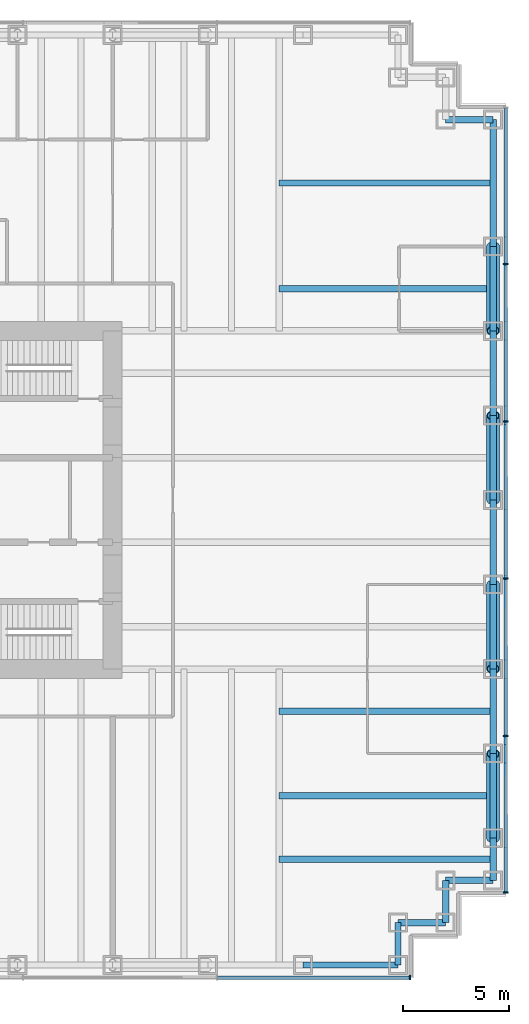
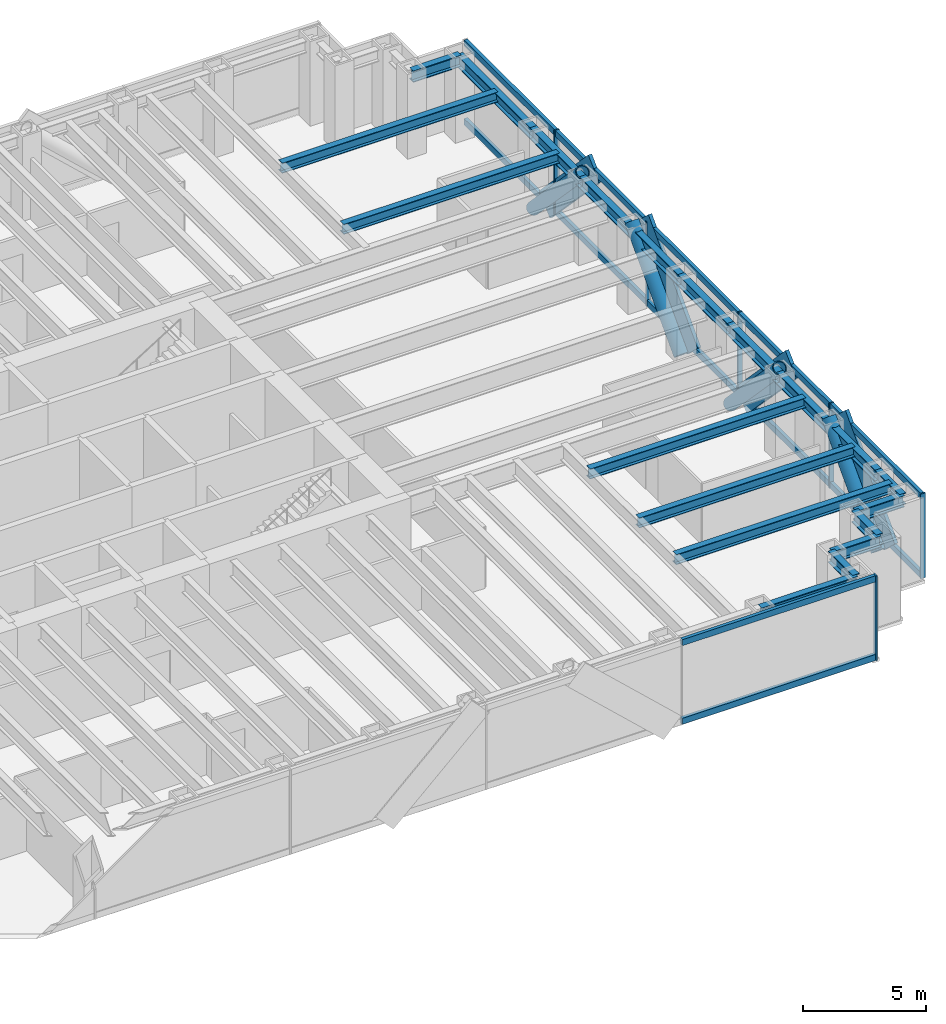
# One storey, part 8 of 15: 26 members, 20 beams, 2 elements without a shape of their own.
"""IFC4 building model written with IfcOpenShell, lengths in metres."""

from ifc_helpers import new_model, si_unit, direction, frame, origin, origin_2d, place, context, subcontext, project, spatial, rectangle, hollow_circle, i_section, extrude, material, material_profile, profile_set, type_object, element, aggregate, save


model = new_model("IFC4")

# Units and contexts
model_context = context("Model", 3, precision=1e-05, world=origin(), true_north=direction((0.0, 1.0)))
body_context = subcontext(model_context, "Body", "Model", "MODEL_VIEW")
ifc_project = project(units=[si_unit("LENGTHUNIT", "METRE"), si_unit("AREAUNIT", "SQUARE_METRE"), si_unit("VOLUMEUNIT", "CUBIC_METRE"), si_unit("PLANEANGLEUNIT", "RADIAN"), si_unit("MASSUNIT", "GRAM", prefix="KILO")], contexts=[model_context])

# Site, building, storey
site_placement = place(None, origin())
site = spatial("IfcSite", under=ifc_project, at=site_placement, CompositionType="ELEMENT")
building_placement = place(site_placement, origin())
building = spatial("IfcBuilding", under=site, at=building_placement, Name="Rheinbord Bourse Tower", CompositionType="ELEMENT")
storey_placement = place(building_placement, frame((0.0, 0.0, 163.5)))
storey = spatial("IfcBuildingStorey", under=building, at=storey_placement, Name="L36", CompositionType="ELEMENT", Elevation=163.5)

# Curtain wall, members
ifc_material_1 = material(Name="Dark glass and black aluminium", Category="aluminium")
curtain_wall_type = type_object("IfcCurtainWallType", Name="CW2 DARK GLASS CURTAIN WALL", PredefinedType="USERDEFINED", material=ifc_material_1)
curtain_wall_1_placement = place(storey_placement, origin())
curtain_wall_1 = element("IfcCurtainWall", 1, at=curtain_wall_1_placement, inside=storey, type_object=curtain_wall_type, Name="Curtain wall CW2 E L36", ObjectType="UNITISED CURTAIN WALL", PredefinedType="USERDEFINED")
ifc_material_2 = material(Name="Black anodised aluminium", Category="aluminium")
ifc_material_profile_1 = material_profile(ifc_material_2, rectangle(XDim=0.159912109375, YDim=1.2099609375, at=origin_2d()), Name="CW2 DIAGONAL MULLION 1210x160")
ifc_profile_set_1 = profile_set([ifc_material_profile_1], Name="Black anodised aluminium")
member_type_1 = type_object("IfcMemberType", Name="CW2 BLACK DIAGONAL MULLION", PredefinedType="USERDEFINED", material=ifc_profile_set_1)
member_1_placement = place(storey_placement, frame((72.60009765625, 8.0, 0.0), z_axis=(0.0, 0.689659376744, 0.724133926887), x_axis=(-1.0, 0.0, 0.0)))
member_1 = element("IfcMember", 2, at=member_1_placement, type_object=member_type_1, Name="CW2 diagonal mullion a", ObjectType="DIAGONAL MULLION", PredefinedType="USERDEFINED", context=body_context, shape_type="SweptSolid", body=[
    extrude(rectangle(XDim=0.159912109375, YDim=1.2099609375, at=origin_2d()), origin(), (0.0, 0.0, 1.0), 5.800048828125),
])
member_2_placement = place(storey_placement, frame((72.60009765625, 36.0, 0.0), z_axis=(0.0, -0.689659376744, 0.724133926887), x_axis=(1.0, 0.0, 0.0)))
member_2 = element("IfcMember", 3, at=member_2_placement, type_object=member_type_1, Name="CW2 diagonal mullion b", ObjectType="DIAGONAL MULLION", PredefinedType="USERDEFINED", context=body_context, shape_type="SweptSolid", body=[
    extrude(rectangle(XDim=0.159912109375, YDim=1.2099609375, at=origin_2d()), origin(), (0.0, 0.0, 1.0), 5.800048828125),
])
member_3_placement = place(storey_placement, frame((72.60009765625, 24.0, 0.0), z_axis=(0.0, 0.689659376744, 0.724133926887), x_axis=(-1.0, 0.0, 0.0)))
member_3 = element("IfcMember", 4, at=member_3_placement, type_object=member_type_1, Name="CW2 diagonal mullion c", ObjectType="DIAGONAL MULLION", PredefinedType="USERDEFINED", context=body_context, shape_type="SweptSolid", body=[
    extrude(rectangle(XDim=0.159912109375, YDim=1.2099609375, at=origin_2d()), origin(), (0.0, 0.0, 1.0), 5.800048828125),
])
member_4_placement = place(storey_placement, frame((72.60009765625, 20.0, 0.0), z_axis=(0.0, -0.689659376744, 0.724133926887), x_axis=(1.0, 0.0, 0.0)))
member_4 = element("IfcMember", 5, at=member_4_placement, type_object=member_type_1, Name="CW2 diagonal mullion d", ObjectType="DIAGONAL MULLION", PredefinedType="USERDEFINED", context=body_context, shape_type="SweptSolid", body=[
    extrude(rectangle(XDim=0.159912109375, YDim=1.2099609375, at=origin_2d()), origin(), (0.0, 0.0, 1.0), 5.800048828125),
])

# Curtain wall, member
curtain_wall_2_placement = place(storey_placement, origin())
curtain_wall_2 = element("IfcCurtainWall", 6, at=curtain_wall_2_placement, inside=storey, type_object=curtain_wall_type, Name="Curtain wall CW2 S L36", ObjectType="UNITISED CURTAIN WALL", PredefinedType="USERDEFINED")
ifc_material_3 = material(Name="Black anodised aluminium", Category="aluminium")
ifc_material_profile_2 = material_profile(ifc_material_3, rectangle(XDim=0.219970703125, YDim=0.070068359375, at=origin_2d()), Name="CW2 MULLION 70x220")
ifc_profile_set_2 = profile_set([ifc_material_profile_2], Name="Black anodised aluminium")
member_type_2 = type_object("IfcMemberType", Name="CW2 BLACK MULLION", PredefinedType="MULLION", material=ifc_profile_set_2)
member_5_placement = place(storey_placement, frame((68.06494140625, 1.39990234375, 0.0), z_axis=(0.0, 0.0, 1.0), x_axis=(0.0, 1.0, 0.0)))
member_5 = element("IfcMember", 7, at=member_5_placement, type_object=member_type_2, Name="CW2 mullion 8", PredefinedType="MULLION", context=body_context, shape_type="SweptSolid", body=[
    extrude(rectangle(XDim=0.219970703125, YDim=0.070068359375, at=origin_2d()), origin(), (0.0, 0.0, 1.0), 4.199951171875),
])

# Member
member_6_placement = place(storey_placement, frame((72.60009765625, 5.43505859375, 0.0), z_axis=(0.0, 0.0, 1.0), x_axis=(-1.0, 0.0, 0.0)))
member_6 = element("IfcMember", 8, at=member_6_placement, type_object=member_type_2, Name="CW2 mullion 1", PredefinedType="MULLION", context=body_context, shape_type="SweptSolid", body=[
    extrude(rectangle(XDim=0.219970703125, YDim=0.070068359375, at=origin_2d()), origin(), (0.0, 0.0, 1.0), 4.199951171875),
])

member_7_placement = place(storey_placement, frame((72.60009765625, 12.840087890625, 0.0), z_axis=(0.0, 0.0, 1.0), x_axis=(-1.0, 0.0, 0.0)))
member_7 = element("IfcMember", 9, at=member_7_placement, type_object=member_type_2, Name="CW2 mullion 2", PredefinedType="MULLION", context=body_context, shape_type="SweptSolid", body=[
    extrude(rectangle(XDim=0.219970703125, YDim=0.070068359375, at=origin_2d()), origin(), (0.0, 0.0, 1.0), 4.199951171875),
])

member_8_placement = place(storey_placement, frame((72.60009765625, 20.280029296875, 0.0), z_axis=(0.0, 0.0, 1.0), x_axis=(-1.0, 0.0, 0.0)))
member_8 = element("IfcMember", 10, at=member_8_placement, type_object=member_type_2, Name="CW2 mullion 3", PredefinedType="MULLION", context=body_context, shape_type="SweptSolid", body=[
    extrude(rectangle(XDim=0.219970703125, YDim=0.070068359375, at=origin_2d()), origin(), (0.0, 0.0, 1.0), 4.199951171875),
])

member_9_placement = place(storey_placement, frame((72.60009765625, 27.719970703125, 0.0), z_axis=(0.0, 0.0, 1.0), x_axis=(-1.0, 0.0, 0.0)))
member_9 = element("IfcMember", 11, at=member_9_placement, type_object=member_type_2, Name="CW2 mullion 4", PredefinedType="MULLION", context=body_context, shape_type="SweptSolid", body=[
    extrude(rectangle(XDim=0.219970703125, YDim=0.070068359375, at=origin_2d()), origin(), (0.0, 0.0, 1.0), 4.199951171875),
])

member_10_placement = place(storey_placement, frame((72.60009765625, 35.159912109375, 0.0), z_axis=(0.0, 0.0, 1.0), x_axis=(-1.0, 0.0, 0.0)))
member_10 = element("IfcMember", 12, at=member_10_placement, type_object=member_type_2, Name="CW2 mullion 5", PredefinedType="MULLION", context=body_context, shape_type="SweptSolid", body=[
    extrude(rectangle(XDim=0.219970703125, YDim=0.070068359375, at=origin_2d()), origin(), (0.0, 0.0, 1.0), 4.199951171875),
])

ifc_material_4 = material(Name="Black anodised aluminium", Category="aluminium")
ifc_material_profile_3 = material_profile(ifc_material_4, rectangle(XDim=0.159912109375, YDim=0.300048828125, at=origin_2d()), Name="CW2 TRANSOM 300x160")
ifc_profile_set_3 = profile_set([ifc_material_profile_3], Name="Black anodised aluminium")
member_type_3 = type_object("IfcMemberType", Name="CW2 BLACK TRANSOM", PredefinedType="USERDEFINED", material=ifc_profile_set_3)
member_11_placement = place(storey_placement, frame((58.963623046875, 1.39990234375, 0.14990234375), z_axis=(1.0, 0.0, 0.0), x_axis=(0.0, 1.0, 0.0)))
member_11 = element("IfcMember", 13, at=member_11_placement, type_object=member_type_3, Name="CW2 transom 7.1", ObjectType="TRANSOM", PredefinedType="USERDEFINED", context=body_context, shape_type="SweptSolid", body=[
    extrude(rectangle(XDim=0.159912109375, YDim=0.300048828125, at=origin_2d()), origin(), (0.0, 0.0, 1.0), 9.06640625),
])

member_12_placement = place(storey_placement, frame((58.963623046875, 1.39990234375, 4.050048828125), z_axis=(1.0, 0.0, 0.0), x_axis=(0.0, 1.0, 0.0)))
member_12 = element("IfcMember", 14, at=member_12_placement, type_object=member_type_3, Name="CW2 transom 7.2", ObjectType="TRANSOM", PredefinedType="USERDEFINED", context=body_context, shape_type="SweptSolid", body=[
    extrude(rectangle(XDim=0.159912109375, YDim=0.300048828125, at=origin_2d()), origin(), (0.0, 0.0, 1.0), 9.06640625),
])

aggregate(curtain_wall_2, [member_5, member_11, member_12])

member_13_placement = place(storey_placement, frame((72.60009765625, 5.469970703125, 0.14990234375), z_axis=(0.0, 1.0, 0.0), x_axis=(-1.0, 0.0, 0.0)))
member_13 = element("IfcMember", 15, at=member_13_placement, type_object=member_type_3, Name="CW2 transom 1.1", ObjectType="TRANSOM", PredefinedType="USERDEFINED", context=body_context, shape_type="SweptSolid", body=[
    extrude(rectangle(XDim=0.159912109375, YDim=0.300048828125, at=origin_2d()), origin(), (0.0, 0.0, 1.0), 7.3349609375),
])

member_14_placement = place(storey_placement, frame((72.60009765625, 5.469970703125, 4.050048828125), z_axis=(0.0, 1.0, 0.0), x_axis=(-1.0, 0.0, 0.0)))
member_14 = element("IfcMember", 16, at=member_14_placement, type_object=member_type_3, Name="CW2 transom 1.2", ObjectType="TRANSOM", PredefinedType="USERDEFINED", context=body_context, shape_type="SweptSolid", body=[
    extrude(rectangle(XDim=0.159912109375, YDim=0.300048828125, at=origin_2d()), origin(), (0.0, 0.0, 1.0), 7.3349609375),
])

member_15_placement = place(storey_placement, frame((72.60009765625, 12.875, 0.14990234375), z_axis=(0.0, 1.0, 0.0), x_axis=(-1.0, 0.0, 0.0)))
member_15 = element("IfcMember", 17, at=member_15_placement, type_object=member_type_3, Name="CW2 transom 2.1", ObjectType="TRANSOM", PredefinedType="USERDEFINED", context=body_context, shape_type="SweptSolid", body=[
    extrude(rectangle(XDim=0.159912109375, YDim=0.300048828125, at=origin_2d()), origin(), (0.0, 0.0, 1.0), 7.3701171875),
])

member_16_placement = place(storey_placement, frame((72.60009765625, 12.875, 4.050048828125), z_axis=(0.0, 1.0, 0.0), x_axis=(-1.0, 0.0, 0.0)))
member_16 = element("IfcMember", 18, at=member_16_placement, type_object=member_type_3, Name="CW2 transom 2.2", ObjectType="TRANSOM", PredefinedType="USERDEFINED", context=body_context, shape_type="SweptSolid", body=[
    extrude(rectangle(XDim=0.159912109375, YDim=0.300048828125, at=origin_2d()), origin(), (0.0, 0.0, 1.0), 7.3701171875),
])

member_17_placement = place(storey_placement, frame((72.60009765625, 20.31494140625, 0.14990234375), z_axis=(0.0, 1.0, 0.0), x_axis=(-1.0, 0.0, 0.0)))
member_17 = element("IfcMember", 19, at=member_17_placement, type_object=member_type_3, Name="CW2 transom 3.1", ObjectType="TRANSOM", PredefinedType="USERDEFINED", context=body_context, shape_type="SweptSolid", body=[
    extrude(rectangle(XDim=0.159912109375, YDim=0.300048828125, at=origin_2d()), origin(), (0.0, 0.0, 1.0), 7.3701171875),
])

member_18_placement = place(storey_placement, frame((72.60009765625, 20.31494140625, 4.050048828125), z_axis=(0.0, 1.0, 0.0), x_axis=(-1.0, 0.0, 0.0)))
member_18 = element("IfcMember", 20, at=member_18_placement, type_object=member_type_3, Name="CW2 transom 3.2", ObjectType="TRANSOM", PredefinedType="USERDEFINED", context=body_context, shape_type="SweptSolid", body=[
    extrude(rectangle(XDim=0.159912109375, YDim=0.300048828125, at=origin_2d()), origin(), (0.0, 0.0, 1.0), 7.3701171875),
])

member_19_placement = place(storey_placement, frame((72.60009765625, 27.7548828125, 0.14990234375), z_axis=(0.0, 1.0, 0.0), x_axis=(-1.0, 0.0, 0.0)))
member_19 = element("IfcMember", 21, at=member_19_placement, type_object=member_type_3, Name="CW2 transom 4.1", ObjectType="TRANSOM", PredefinedType="USERDEFINED", context=body_context, shape_type="SweptSolid", body=[
    extrude(rectangle(XDim=0.159912109375, YDim=0.300048828125, at=origin_2d()), origin(), (0.0, 0.0, 1.0), 7.3701171875),
])

member_20_placement = place(storey_placement, frame((72.60009765625, 27.7548828125, 4.050048828125), z_axis=(0.0, 1.0, 0.0), x_axis=(-1.0, 0.0, 0.0)))
member_20 = element("IfcMember", 22, at=member_20_placement, type_object=member_type_3, Name="CW2 transom 4.2", ObjectType="TRANSOM", PredefinedType="USERDEFINED", context=body_context, shape_type="SweptSolid", body=[
    extrude(rectangle(XDim=0.159912109375, YDim=0.300048828125, at=origin_2d()), origin(), (0.0, 0.0, 1.0), 7.3701171875),
])

member_21_placement = place(storey_placement, frame((72.60009765625, 35.195068359375, 0.14990234375), z_axis=(0.0, 1.0, 0.0), x_axis=(-1.0, 0.0, 0.0)))
member_21 = element("IfcMember", 23, at=member_21_placement, type_object=member_type_3, Name="CW2 transom 5.1", ObjectType="TRANSOM", PredefinedType="USERDEFINED", context=body_context, shape_type="SweptSolid", body=[
    extrude(rectangle(XDim=0.159912109375, YDim=0.300048828125, at=origin_2d()), origin(), (0.0, 0.0, 1.0), 7.3349609375),
])

member_22_placement = place(storey_placement, frame((72.60009765625, 35.195068359375, 4.050048828125), z_axis=(0.0, 1.0, 0.0), x_axis=(-1.0, 0.0, 0.0)))
member_22 = element("IfcMember", 24, at=member_22_placement, type_object=member_type_3, Name="CW2 transom 5.2", ObjectType="TRANSOM", PredefinedType="USERDEFINED", context=body_context, shape_type="SweptSolid", body=[
    extrude(rectangle(XDim=0.159912109375, YDim=0.300048828125, at=origin_2d()), origin(), (0.0, 0.0, 1.0), 7.3349609375),
])

aggregate(curtain_wall_1, [member_6, member_7, member_8, member_9, member_10, member_13, member_14, member_15, member_16, member_17, member_18, member_19, member_20, member_21, member_22, member_1, member_2, member_3, member_4])

# Members
ifc_material_5 = material(Name="Steel S460", Category="steel")
ifc_material_profile_4 = material_profile(ifc_material_5, hollow_circle(Radius=0.304931640625, WallThickness=0.0400390625, at=origin_2d()), Name="CHS 610x40")
ifc_profile_set_4 = profile_set([ifc_material_profile_4], Name="Steel S460")
member_type_4 = type_object("IfcMemberType", Name="MEGABRACE CHS 610x40", PredefinedType="BRACE", material=ifc_profile_set_4)
for number, where, z_axis, x_axis, name in (
    (25, (72.0, 8.0, 0.0), (0.0, 0.689659376744, 0.724133926887), (-1.0, 0.0, 0.0), "Megabrace E face line a L36"),
    (26, (72.0, 36.0, 0.0), (0.0, -0.689659376744, 0.724133926887), (1.0, 0.0, 0.0), "Megabrace E face line b L36"),
    (27, (72.0, 24.0, 0.0), (0.0, 0.689659376744, 0.724133926887), (-1.0, 0.0, 0.0), "Megabrace E face line c L36"),
    (28, (72.0, 20.0, 0.0), (0.0, -0.689659376744, 0.724133926887), (1.0, 0.0, 0.0), "Megabrace E face line d L36"),
):
    element("IfcMember", number, at=place(storey_placement, frame(where, z_axis=z_axis, x_axis=x_axis)), inside=storey, type_object=member_type_4, Name=name, PredefinedType="BRACE", context=body_context, shape_type="SweptSolid", body=[
        extrude(hollow_circle(Radius=0.304931640625, WallThickness=0.0400390625, at=origin_2d()), origin(), (0.0, 0.0, 1.0), 5.800048828125),
    ])

# Beams
ifc_material_6 = material(Name="Steel S460", Category="steel")
ifc_material_profile_5 = material_profile(ifc_material_6, i_section(OverallWidth=0.305908203125, OverallDepth=0.572021484375, WebThickness=0.02099609375, FlangeThickness=0.0400390625, at=origin_2d()), Name="HEM 550")
ifc_profile_set_5 = profile_set([ifc_material_profile_5], Name="Steel S460")
beam_type_1 = type_object("IfcBeamType", Name="SPANDREL HEM 550", PredefinedType="SPANDREL", material=ifc_profile_set_5)
beam_1_placement = place(storey_placement, frame((63.0, 2.0, 3.75390625), z_axis=(1.0, 0.0, 0.0), x_axis=(0.0, 1.0, 0.0)))
element("IfcBeam", 29, at=beam_1_placement, inside=storey, type_object=beam_type_1, Name="Spandrel S-63-SE-E under L37", PredefinedType="SPANDREL", context=body_context, shape_type="SweptSolid", body=[
    extrude(i_section(OverallWidth=0.305908203125, OverallDepth=0.572021484375, WebThickness=0.02099609375, FlangeThickness=0.0400390625, at=origin_2d()), origin(), (0.0, 0.0, 1.0), 4.5),
])
beam_2_placement = place(storey_placement, frame((67.5, 2.0, 3.75390625), z_axis=(0.0, 1.0, 0.0), x_axis=(-1.0, 0.0, 0.0)))
element("IfcBeam", 30, at=beam_2_placement, inside=storey, type_object=beam_type_1, Name="Spandrel SE-E-SE-D under L37", PredefinedType="SPANDREL", context=body_context, shape_type="SweptSolid", body=[
    extrude(i_section(OverallWidth=0.305908203125, OverallDepth=0.572021484375, WebThickness=0.02099609375, FlangeThickness=0.0400390625, at=origin_2d()), origin(), (0.0, 0.0, 1.0), 2.0),
])
beam_3_placement = place(storey_placement, frame((67.5, 4.0, 3.75390625), z_axis=(1.0, 0.0, 0.0), x_axis=(0.0, 1.0, 0.0)))
element("IfcBeam", 31, at=beam_3_placement, inside=storey, type_object=beam_type_1, Name="Spandrel SE-D-SE-C under L37", PredefinedType="SPANDREL", context=body_context, shape_type="SweptSolid", body=[
    extrude(i_section(OverallWidth=0.305908203125, OverallDepth=0.572021484375, WebThickness=0.02099609375, FlangeThickness=0.0400390625, at=origin_2d()), origin(), (0.0, 0.0, 1.0), 2.25),
])
beam_4_placement = place(storey_placement, frame((69.75, 4.0, 3.75390625), z_axis=(0.0, 1.0, 0.0), x_axis=(-1.0, 0.0, 0.0)))
element("IfcBeam", 32, at=beam_4_placement, inside=storey, type_object=beam_type_1, Name="Spandrel SE-C-SE-B under L37", PredefinedType="SPANDREL", context=body_context, shape_type="SweptSolid", body=[
    extrude(i_section(OverallWidth=0.305908203125, OverallDepth=0.572021484375, WebThickness=0.02099609375, FlangeThickness=0.0400390625, at=origin_2d()), origin(), (0.0, 0.0, 1.0), 2.0),
])
beam_5_placement = place(storey_placement, frame((69.75, 6.0, 3.75390625), z_axis=(1.0, 0.0, 0.0), x_axis=(0.0, 1.0, 0.0)))
element("IfcBeam", 33, at=beam_5_placement, inside=storey, type_object=beam_type_1, Name="Spandrel SE-B-SE-A under L37", PredefinedType="SPANDREL", context=body_context, shape_type="SweptSolid", body=[
    extrude(i_section(OverallWidth=0.305908203125, OverallDepth=0.572021484375, WebThickness=0.02099609375, FlangeThickness=0.0400390625, at=origin_2d()), origin(), (0.0, 0.0, 1.0), 2.25),
])
beam_6_placement = place(storey_placement, frame((72.0, 6.0, 3.75390625), z_axis=(0.0, 1.0, 0.0), x_axis=(-1.0, 0.0, 0.0)))
element("IfcBeam", 34, at=beam_6_placement, inside=storey, type_object=beam_type_1, Name="Spandrel SE-A-E-8 under L37", PredefinedType="SPANDREL", context=body_context, shape_type="SweptSolid", body=[
    extrude(i_section(OverallWidth=0.305908203125, OverallDepth=0.572021484375, WebThickness=0.02099609375, FlangeThickness=0.0400390625, at=origin_2d()), origin(), (0.0, 0.0, 1.0), 2.0),
])
for number, where, z_axis, x_axis, name in (
    (35, (72.0, 8.0, 3.75390625), (0.0, 1.0, 0.0), (-1.0, 0.0, 0.0), "Spandrel E-8-E-12 under L37"),
    (36, (72.0, 12.0, 3.75390625), (0.0, 1.0, 0.0), (-1.0, 0.0, 0.0), "Spandrel E-12-E-16 under L37"),
    (37, (72.0, 16.0, 3.75390625), (0.0, 1.0, 0.0), (-1.0, 0.0, 0.0), "Spandrel E-16-E-20 under L37"),
    (38, (72.0, 20.0, 3.75390625), (0.0, 1.0, 0.0), (-1.0, 0.0, 0.0), "Spandrel E-20-E-24 under L37"),
    (39, (72.0, 24.0, 3.75390625), (0.0, 1.0, 0.0), (-1.0, 0.0, 0.0), "Spandrel E-24-E-28 under L37"),
    (40, (72.0, 28.0, 3.75390625), (0.0, 1.0, 0.0), (-1.0, 0.0, 0.0), "Spandrel E-28-E-32 under L37"),
    (41, (72.0, 32.0, 3.75390625), (0.0, 1.0, 0.0), (-1.0, 0.0, 0.0), "Spandrel E-32-E-36 under L37"),
):
    element("IfcBeam", number, at=place(storey_placement, frame(where, z_axis=z_axis, x_axis=x_axis)), inside=storey, type_object=beam_type_1, Name=name, PredefinedType="SPANDREL", context=body_context, shape_type="SweptSolid", body=[
        extrude(i_section(OverallWidth=0.305908203125, OverallDepth=0.572021484375, WebThickness=0.02099609375, FlangeThickness=0.0400390625, at=origin_2d()), origin(), (0.0, 0.0, 1.0), 4.0),
    ])
beam_7_placement = place(storey_placement, frame((72.0, 36.0, 3.75390625), z_axis=(0.0, 1.0, 0.0), x_axis=(-1.0, 0.0, 0.0)))
element("IfcBeam", 42, at=beam_7_placement, inside=storey, type_object=beam_type_1, Name="Spandrel E-36-NE-A under L37", PredefinedType="SPANDREL", context=body_context, shape_type="SweptSolid", body=[
    extrude(i_section(OverallWidth=0.305908203125, OverallDepth=0.572021484375, WebThickness=0.02099609375, FlangeThickness=0.0400390625, at=origin_2d()), origin(), (0.0, 0.0, 1.0), 6.0),
])
beam_8_placement = place(storey_placement, frame((72.0, 42.0, 3.75390625), z_axis=(-1.0, 0.0, 0.0), x_axis=(0.0, -1.0, 0.0)))
element("IfcBeam", 43, at=beam_8_placement, inside=storey, type_object=beam_type_1, Name="Spandrel NE-A-NE-B under L37", PredefinedType="SPANDREL", context=body_context, shape_type="SweptSolid", body=[
    extrude(i_section(OverallWidth=0.305908203125, OverallDepth=0.572021484375, WebThickness=0.02099609375, FlangeThickness=0.0400390625, at=origin_2d()), origin(), (0.0, 0.0, 1.0), 2.25),
])
ifc_material_7 = material(Name="Steel S460", Category="steel")
ifc_material_profile_6 = material_profile(ifc_material_7, i_section(OverallWidth=0.300048828125, OverallDepth=0.5, WebThickness=0.014404296875, FlangeThickness=0.028076171875, at=origin_2d()), Name="HEB 500")
ifc_profile_set_6 = profile_set([ifc_material_profile_6], Name="Steel S460")
beam_type_2 = type_object("IfcBeamType", Name="TIE BEAM HEB 500", PredefinedType="JOIST", material=ifc_profile_set_6)
for number, where, z_axis, x_axis, name in (
    (44, (61.875, 7.0, 3.7900390625), (1.0, 0.0, 0.0), (0.0, 1.0, 0.0), "Tie east 7 L37"),
    (45, (61.875, 10.0, 3.7900390625), (1.0, 0.0, 0.0), (0.0, 1.0, 0.0), "Tie east 10 L37"),
    (46, (61.875, 14.0, 3.7900390625), (1.0, 0.0, 0.0), (0.0, 1.0, 0.0), "Tie east 14 L37"),
    (47, (61.875, 34.0, 3.7900390625), (1.0, 0.0, 0.0), (0.0, 1.0, 0.0), "Tie east 34 L37"),
    (48, (61.875, 39.0, 3.7900390625), (1.0, 0.0, 0.0), (0.0, 1.0, 0.0), "Tie east 39 L37"),
):
    element("IfcBeam", number, at=place(storey_placement, frame(where, z_axis=z_axis, x_axis=x_axis)), inside=storey, type_object=beam_type_2, Name=name, PredefinedType="JOIST", context=body_context, shape_type="SweptSolid", body=[
        extrude(i_section(OverallWidth=0.300048828125, OverallDepth=0.5, WebThickness=0.014404296875, FlangeThickness=0.028076171875, at=origin_2d()), origin(), (0.0, 0.0, 1.0), 10.125),
    ])

save(model, "model.ifc")
